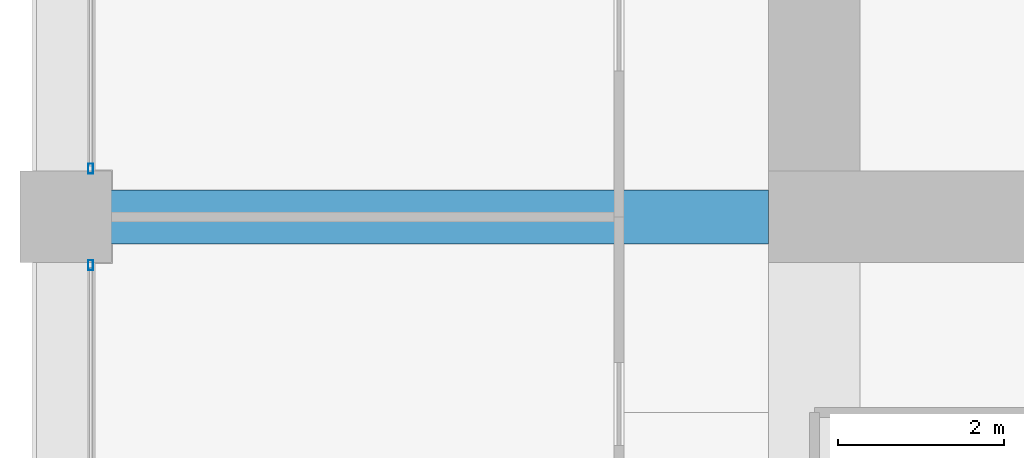
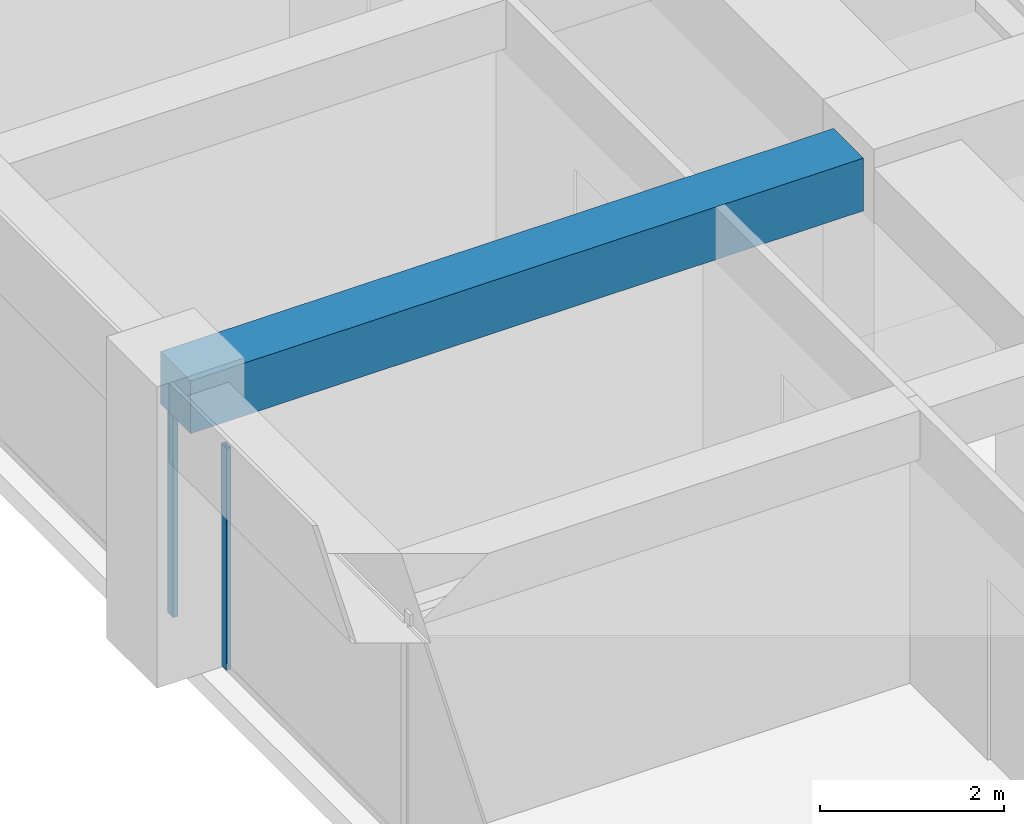
# One storey, part 13 of 44: 2 members, 1 beam, 2 elements without a shape of their own.
"""IFC4 building model written with IfcOpenShell, lengths in metres."""

import ifcopenshell
import ifcopenshell.guid

model = None  # the IFC model being written
_history = None  # IfcOwnerHistory: only IFC2X3 demands one
_inside = {}  # id of a spatial element -> (the spatial element, [elements in it])
_under = {}  # id of a project, library or spatial element -> (it, [spatial elements below it])
_declared = {}  # id of a project -> (the project, [libraries it declares])
_typed = {}  # id of a type object -> (the type object, [elements of that type])
_made_of = {}  # id of a material, layer set ... -> (it, [elements and type objects made of it])


def new_model(schema):
    """Start an empty IFC model of exactly this schema.

    Asked for "IFC4X3", IfcOpenShell would pick the latest addendum, in which some entities
    have other attributes; the version numbers below select the first issue.
    IFC2X3 requires an IfcOwnerHistory on every rooted entity: one is made here for all.
    """
    global model, _history
    if schema == "IFC4X3":
        model = ifcopenshell.file(schema_version=(4, 3, 0, 0))
    else:
        model = ifcopenshell.file(schema=schema)
    _inside.clear()
    _under.clear()
    _declared.clear()
    _typed.clear()
    _made_of.clear()
    _history = None
    if model.schema == "IFC2X3":
        org = make("IfcOrganization", Name="unknown")
        user = make(
            "IfcPersonAndOrganization",
            ThePerson=make("IfcPerson", FamilyName="unknown"),
            TheOrganization=org,
        )
        app = make(
            "IfcApplication",
            ApplicationDeveloper=org,
            Version="unknown",
            ApplicationFullName="unknown",
            ApplicationIdentifier="unknown",
        )
        _history = make(
            "IfcOwnerHistory",
            OwningUser=user,
            OwningApplication=app,
            ChangeAction="ADDED",
            CreationDate=0,
        )
    return model


def make(cls, **values):
    """One entity of the class cls with the attributes given. An attribute that is None is left unset."""
    return model.create_entity(
        cls, **{name: value for name, value in values.items() if value is not None}
    )


def rooted(cls, **values):
    """An entity with a GlobalId (a new one), such as an element, a storey or a relation."""
    return make(cls, GlobalId=ifcopenshell.guid.new(), OwnerHistory=_history, **values)


def si_unit(unit_type, name, prefix=None):
    """IfcSIUnit, for example si_unit("LENGTHUNIT", "METRE", prefix="MILLI")."""
    return make("IfcSIUnit", UnitType=unit_type, Prefix=prefix, Name=name)


def assignment(units):
    """IfcUnitAssignment: the units of a project."""
    return None if units is None else make("IfcUnitAssignment", Units=units)


def point(xyz):
    """IfcCartesianPoint."""
    return None if xyz is None else make("IfcCartesianPoint", Coordinates=xyz)


def direction(xyz):
    """IfcDirection."""
    return None if xyz is None else make("IfcDirection", DirectionRatios=xyz)


def frame(location, z_axis=None, x_axis=None):
    """IfcAxis2Placement3D, a coordinate frame: its origin and axes. An axis left out is left unset."""
    return make(
        "IfcAxis2Placement3D",
        Location=point(location),
        Axis=direction(z_axis),
        RefDirection=direction(x_axis),
    )


def frame_2d(location, x_axis=None):
    """IfcAxis2Placement2D, a coordinate frame in the plane: its origin and x axis."""
    return make(
        "IfcAxis2Placement2D", Location=point(location), RefDirection=direction(x_axis)
    )


def origin():
    """The frame at (0, 0, 0) with its axes left unset."""
    return frame((0.0, 0.0, 0.0))


def origin_2d():
    """The frame at (0, 0) in the plane with its x axis left unset."""
    return frame_2d((0.0, 0.0))


def place(relative_to, where):
    """IfcLocalPlacement: puts the frame where relative to a parent placement (None: the world)."""
    return make(
        "IfcLocalPlacement", PlacementRelTo=relative_to, RelativePlacement=where
    )


def context(
    kind, dimensions, precision=None, world=None, true_north=None, identifier=None
):
    """IfcGeometricRepresentationContext, for example the 3D "Model" context."""
    return make(
        "IfcGeometricRepresentationContext",
        ContextIdentifier=identifier,
        ContextType=kind,
        CoordinateSpaceDimension=dimensions,
        Precision=precision,
        WorldCoordinateSystem=world,
        TrueNorth=true_north,
    )


def subcontext(parent, identifier, kind, view, scale=None):
    """IfcGeometricRepresentationSubContext, for example "Body" below "Model"."""
    return make(
        "IfcGeometricRepresentationSubContext",
        ContextIdentifier=identifier,
        ContextType=kind,
        ParentContext=parent,
        TargetScale=scale,
        TargetView=view,
    )


def project(units=None, contexts=None):
    """IfcProject with its units and contexts."""
    return rooted(
        "IfcProject",
        Name="project",
        RepresentationContexts=contexts,
        UnitsInContext=assignment(units),
    )


def spatial(cls, under=None, at=None, **own):
    """A site, building, storey or space (cls), placed at a placement, below another one or the project."""
    s = rooted(cls, ObjectPlacement=at, **own)
    if under is not None:
        _under.setdefault(under.id(), (under, []))[1].append(s)
    return s


def profile(cls, at=None, kind="AREA", **sizes):
    """A parametric profile (cls). Its sizes go by their IFC names, for example OverallWidth=200.0."""
    return make(cls, ProfileType=kind, Position=at, **sizes)


def rectangle(**sizes):
    """IfcRectangleProfileDef."""
    return profile("IfcRectangleProfileDef", **sizes)


def hollow_rectangle(**sizes):
    """IfcRectangleHollowProfileDef."""
    return profile("IfcRectangleHollowProfileDef", **sizes)


def extrude(swept, where, along, depth):
    """IfcExtrudedAreaSolid: the profile swept, set in the frame where, extruded along a direction by depth."""
    return make(
        "IfcExtrudedAreaSolid",
        SweptArea=swept,
        Position=where,
        ExtrudedDirection=direction(along),
        Depth=depth,
    )


def shape(context_of_items, identifier, shape_type, items):
    """IfcShapeRepresentation: the items that make up one representation, for example the "Body"."""
    return make(
        "IfcShapeRepresentation",
        ContextOfItems=context_of_items,
        RepresentationIdentifier=identifier,
        RepresentationType=shape_type,
        Items=items,
    )


def material(Name=None, Category=None):
    """IfcMaterial."""
    return make("IfcMaterial", Name=Name, Category=Category)


def material_profile(
    of_material, cross_section, Name=None, Category=None, Priority=None
):
    """IfcMaterialProfile: a cross section and its material."""
    return make(
        "IfcMaterialProfile",
        Name=Name,
        Material=of_material,
        Profile=cross_section,
        Priority=Priority,
        Category=Category,
    )


def profile_set(profiles, Name=None, composite=None):
    """IfcMaterialProfileSet."""
    return make(
        "IfcMaterialProfileSet",
        Name=Name,
        MaterialProfiles=profiles,
        CompositeProfile=composite,
    )


def made_of(thing, what):
    """Note that an element or type object is made of a material, layer set ...; save() writes the relation."""
    if what is not None:
        _made_of.setdefault(what.id(), (what, []))[1].append(thing)
    return thing


def type_object(cls, material=None, **own):
    """A type object (cls), such as IfcWallType, which elements share."""
    return made_of(rooted(cls, **own), material)


def element(
    cls,
    number,
    at=None,
    inside=None,
    cuts=None,
    type_object=None,
    material=None,
    context=None,
    identifier="Body",
    shape_type=None,
    held_by="IfcProductDefinitionShape",
    body=None,
    shapes=None,
    **own,
):
    """One element of the class cls, such as IfcWall. Its Tag is "e" and its number.

    at: its placement. inside: the storey or other place that contains it. cuts: it is an
    opening in that element (IfcRelVoidsElement). A single representation is given by context,
    identifier, shape_type and body (its items); several are given by shapes. held_by: the class
    of the entity that holds the representations. save() writes the other relations.
    """
    e = rooted(cls, Tag="e%d" % number, ObjectPlacement=at, **own)
    if body is not None:
        shapes = [shape(context, identifier, shape_type, body)]
    if shapes is not None:
        e.Representation = make(held_by, Representations=shapes)
    if inside is not None:
        _inside.setdefault(inside.id(), (inside, []))[1].append(e)
    if cuts is not None:
        rooted(
            "IfcRelVoidsElement", RelatingBuildingElement=cuts, RelatedOpeningElement=e
        )
    if type_object is not None:
        _typed.setdefault(type_object.id(), (type_object, []))[1].append(e)
    return made_of(e, material)


def aggregate(whole, parts):
    """IfcRelAggregates: a whole, such as a stair, and the parts it consists of."""
    return rooted("IfcRelAggregates", RelatingObject=whole, RelatedObjects=parts)


def save(model, path):
    """Write the relations noted so far, then the file.

    IfcRelAggregates (storeys below a building ...), IfcRelContainedInSpatialStructure (elements
    in a storey), IfcRelDefinesByType, IfcRelAssociatesMaterial and IfcRelDeclares: one each for
    every whole, place, type object, material and project.
    """
    for whole, parts in _under.values():
        aggregate(whole, parts)
    for where, things in _inside.values():
        rooted(
            "IfcRelContainedInSpatialStructure",
            RelatedElements=things,
            RelatingStructure=where,
        )
    for kind, things in _typed.values():
        rooted("IfcRelDefinesByType", RelatedObjects=things, RelatingType=kind)
    for what, things in _made_of.values():
        rooted("IfcRelAssociatesMaterial", RelatedObjects=things, RelatingMaterial=what)
    for by, libraries in _declared.values():
        rooted("IfcRelDeclares", RelatingContext=by, RelatedDefinitions=libraries)
    model.write(path)


model = new_model("IFC4")

# Units and contexts
model_context = context("Model", 3, precision=1e-05, world=origin(), true_north=direction((0.0, 1.0)))
body_context = subcontext(model_context, "Body", "Model", "MODEL_VIEW")
ifc_project = project(units=[si_unit("LENGTHUNIT", "METRE"), si_unit("AREAUNIT", "SQUARE_METRE"), si_unit("VOLUMEUNIT", "CUBIC_METRE"), si_unit("PLANEANGLEUNIT", "RADIAN"), si_unit("MASSUNIT", "GRAM", prefix="KILO")], contexts=[model_context])

# Site, building, storey
site_placement = place(None, origin())
site = spatial("IfcSite", under=ifc_project, at=site_placement, CompositionType="ELEMENT")
building_placement = place(site_placement, origin())
building = spatial("IfcBuilding", under=site, at=building_placement, Name="Zorevar Civic Tower", CompositionType="ELEMENT")
storey_placement = place(building_placement, frame((0.0, 0.0, 259.39990234375)))
storey = spatial("IfcBuildingStorey", under=building, at=storey_placement, Name="L63", CompositionType="ELEMENT", Elevation=259.39990234375)

# Beam
ifc_material_1 = material(Name="Concrete C50/60", Category="concrete")
ifc_material_profile_1 = material_profile(ifc_material_1, rectangle(XDim=0.64990234375, YDim=0.699951171875, at=origin_2d()), Name="RC 650x700")
ifc_profile_set_1 = profile_set([ifc_material_profile_1], Name="Concrete C50/60")
beam_type = type_object("IfcBeamType", Name="Beam RC 650x700", PredefinedType="BEAM", material=ifc_profile_set_1)
beam_placement = place(storey_placement, frame((9.0, 18.0, 3.400146484375), z_axis=(1.0, 0.0, 0.0), x_axis=(0.0, 1.0, 0.0)))
element("IfcBeam", 1, at=beam_placement, inside=storey, type_object=beam_type, Name="Girder L64", PredefinedType="BEAM", context=body_context, shape_type="SweptSolid", body=[
    extrude(rectangle(XDim=0.64990234375, YDim=0.699951171875, at=origin_2d()), origin(), (0.0, 0.0, 1.0), 8.449951171875),
])

# Curtain wall, member
ifc_material_2 = material(Name="Dark grey solar-control glass in black aluminium frame", Category="aluminium")
curtain_wall_type = type_object("IfcCurtainWallType", Name="Curtain wall CW5 top zone", PredefinedType="NOTDEFINED", material=ifc_material_2)
curtain_wall_1_placement = place(storey_placement, origin())
curtain_wall_1 = element("IfcCurtainWall", 2, at=curtain_wall_1_placement, inside=storey, type_object=curtain_wall_type, Name="CW5 L63", PredefinedType="NOTDEFINED")
ifc_material_3 = material(Name="Aluminium, black anodised", Category="aluminium")
ifc_material_profile_2 = material_profile(ifc_material_3, hollow_rectangle(XDim=0.06005859375, YDim=0.1201171875, WallThickness=0.0029296875, at=origin_2d()), Name="AL 120x60x3")
ifc_profile_set_2 = profile_set([ifc_material_profile_2], Name="Aluminium, black anodised")
member_type = type_object("IfcMemberType", Name="CW5 mullion AL 120x60x3", PredefinedType="MULLION", material=ifc_profile_set_2)
member_1_placement = place(storey_placement, frame((9.300048828125, 17.419921875, 0.0), z_axis=(0.0, 0.0, 1.0), x_axis=(-1.0, 0.0, 0.0)))
member_1 = element("IfcMember", 3, at=member_1_placement, type_object=member_type, Name="CW5 mullion 3", PredefinedType="MULLION", context=body_context, shape_type="SweptSolid", body=[
    extrude(hollow_rectangle(XDim=0.06005859375, YDim=0.1201171875, WallThickness=0.0029296875, at=origin_2d()), origin(), (0.0, 0.0, 1.0), 2.9501953125),
])
aggregate(curtain_wall_1, [member_1])

curtain_wall_2_placement = place(storey_placement, origin())
curtain_wall_2 = element("IfcCurtainWall", 4, at=curtain_wall_2_placement, inside=storey, type_object=curtain_wall_type, Name="CW5 L63", PredefinedType="NOTDEFINED")
member_2_placement = place(storey_placement, frame((9.300048828125, 18.580078125, 0.0), z_axis=(0.0, 0.0, 1.0), x_axis=(-1.0, 0.0, 0.0)))
member_2 = element("IfcMember", 5, at=member_2_placement, type_object=member_type, Name="CW5 mullion 1", PredefinedType="MULLION", context=body_context, shape_type="SweptSolid", body=[
    extrude(hollow_rectangle(XDim=0.06005859375, YDim=0.1201171875, WallThickness=0.0029296875, at=origin_2d()), origin(), (0.0, 0.0, 1.0), 2.9501953125),
])
aggregate(curtain_wall_2, [member_2])

save(model, "model.ifc")
